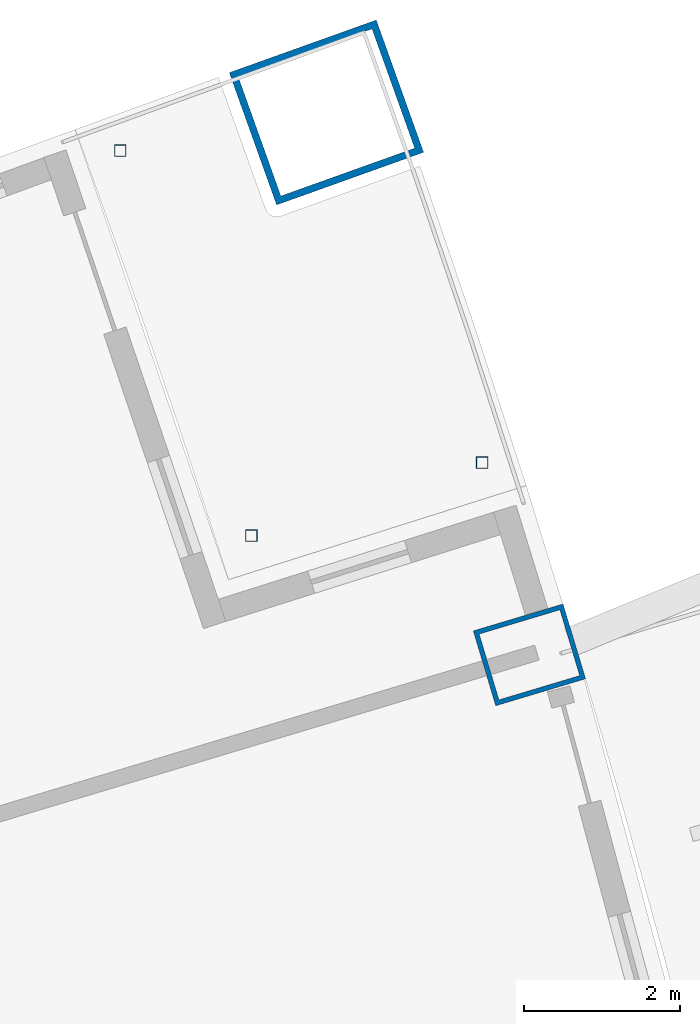
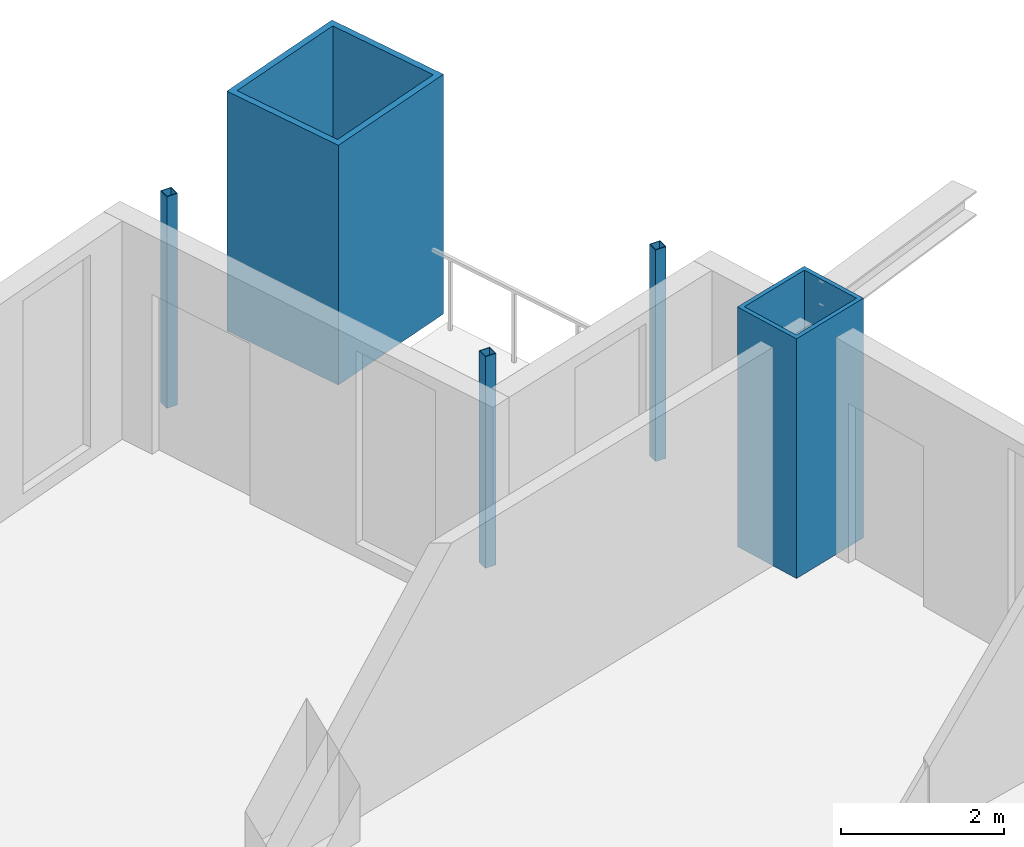
# One storey, part 11 of 25: 5 columns.
"""IFC4 building model written with IfcOpenShell, lengths in metres."""

from ifc_helpers import new_model, si_unit, direction, frame, origin, origin_2d, place, context, subcontext, project, spatial, hollow_rectangle, extrude, material, material_profile, profile_set, type_object, element, save


model = new_model("IFC4")

# Units and contexts
model_context = context("Model", 3, precision=1e-05, world=origin(), true_north=direction((0.0, 1.0)))
body_context = subcontext(model_context, "Body", "Model", "MODEL_VIEW")
ifc_project = project(units=[si_unit("LENGTHUNIT", "METRE"), si_unit("AREAUNIT", "SQUARE_METRE"), si_unit("VOLUMEUNIT", "CUBIC_METRE"), si_unit("PLANEANGLEUNIT", "RADIAN"), si_unit("MASSUNIT", "GRAM", prefix="KILO")], contexts=[model_context])

# Site, building, storey
site_placement = place(None, origin())
site = spatial("IfcSite", under=ifc_project, at=site_placement, CompositionType="ELEMENT")
building_placement = place(site_placement, origin())
building = spatial("IfcBuilding", under=site, at=building_placement, Name="Alderwake Tower", CompositionType="ELEMENT")
storey_placement = place(building_placement, frame((0.0, 0.0, 57.199951171875)))
storey = spatial("IfcBuildingStorey", under=building, at=storey_placement, Name="L13", CompositionType="ELEMENT", Elevation=57.199951171875)

# Columns
ifc_material_1 = material(Name="Steel ASTM A500 Grade C", Category="steel")
ifc_material_profile_1 = material_profile(ifc_material_1, hollow_rectangle(XDim=0.15234375, YDim=0.15234375, WallThickness=0.0087890625, at=origin_2d()), Name="HSS6X6X3/8")
ifc_profile_set_1 = profile_set([ifc_material_profile_1], Name="Steel ASTM A500 Grade C")
column_type_1 = type_object("IfcColumnType", Name="Light post HSS6X6X3/8", PredefinedType="COLUMN", material=ifc_profile_set_1)
for number, where, z_axis, x_axis, name in (
    (1, (55.9716796875, 104.4658203125, 0.0), (0.0, 0.0, 1.0), (1.0, 0.0, 0.0), "Terrace post FN1"),
    (2, (51.3369140625, 108.462646484375, 0.0), (0.0, 0.0, 1.0), (1.0, 0.0, 0.0), "Terrace post FN2"),
    (3, (53.015869140625, 103.53125, 0.0), (0.0, 0.0, 1.0), (1.0, 0.0, 0.0), "Terrace post FN3"),
):
    element("IfcColumn", number, at=place(storey_placement, frame(where, z_axis=z_axis, x_axis=x_axis)), inside=storey, type_object=column_type_1, Name=name, PredefinedType="COLUMN", context=body_context, shape_type="SweptSolid", body=[
        extrude(hollow_rectangle(XDim=0.15234375, YDim=0.15234375, WallThickness=0.0087890625, at=origin_2d()), origin(), (0.0, 0.0, 1.0), 3.179931640625),
    ])
ifc_material_2 = material(Name="Steel ASTM A572 Grade 50 concrete filled C70/85", Category="concrete")
ifc_material_profile_2 = material_profile(ifc_material_2, hollow_rectangle(XDim=1.800048828125, YDim=2.0, WallThickness=0.090087890625, at=origin_2d()), Name="BOX 2000X1800X90")
ifc_profile_set_2 = profile_set([ifc_material_profile_2], Name="Steel ASTM A572 Grade 50 concrete filled C70/85")
column_type_2 = type_object("IfcColumnType", Name="Mega column Z1", PredefinedType="COLUMN", material=ifc_profile_set_2)
column_1_placement = place(storey_placement, frame((53.97802734375, 108.94970703125, 0.0), z_axis=(0.0, 0.0, 1.0), x_axis=(-0.336962157792, 0.941518191123, 0.0)))
element("IfcColumn", 4, at=column_1_placement, inside=storey, type_object=column_type_2, Name="Column R13-C5", PredefinedType="COLUMN", context=body_context, shape_type="SweptSolid", body=[
    extrude(hollow_rectangle(XDim=1.800048828125, YDim=2.0, WallThickness=0.090087890625, at=origin_2d()), origin(), (0.0, 0.0, 1.0), 3.60009765625),
])
ifc_material_3 = material(Name="Steel ASTM A572 Grade 50 concrete filled C70/85", Category="concrete")
ifc_material_profile_3 = material_profile(ifc_material_3, hollow_rectangle(XDim=1.0, YDim=1.199951171875, WallThickness=0.06005859375, at=origin_2d()), Name="BOX 1200X1000X60")
ifc_profile_set_3 = profile_set([ifc_material_profile_3], Name="Steel ASTM A572 Grade 50 concrete filled C70/85")
column_type_3 = type_object("IfcColumnType", Name="Perimeter column Z1", PredefinedType="COLUMN", material=ifc_profile_set_3)
column_2_placement = place(storey_placement, frame((56.577392578125, 102.00439453125, 0.0), z_axis=(0.0, 0.0, 1.0), x_axis=(-0.287549418125, 0.957765802342, 0.0)))
element("IfcColumn", 5, at=column_2_placement, inside=storey, type_object=column_type_3, Name="Column R12-C5", PredefinedType="COLUMN", context=body_context, shape_type="SweptSolid", body=[
    extrude(hollow_rectangle(XDim=1.0, YDim=1.199951171875, WallThickness=0.06005859375, at=origin_2d()), origin(), (0.0, 0.0, 1.0), 3.60009765625),
])

save(model, "model.ifc")
